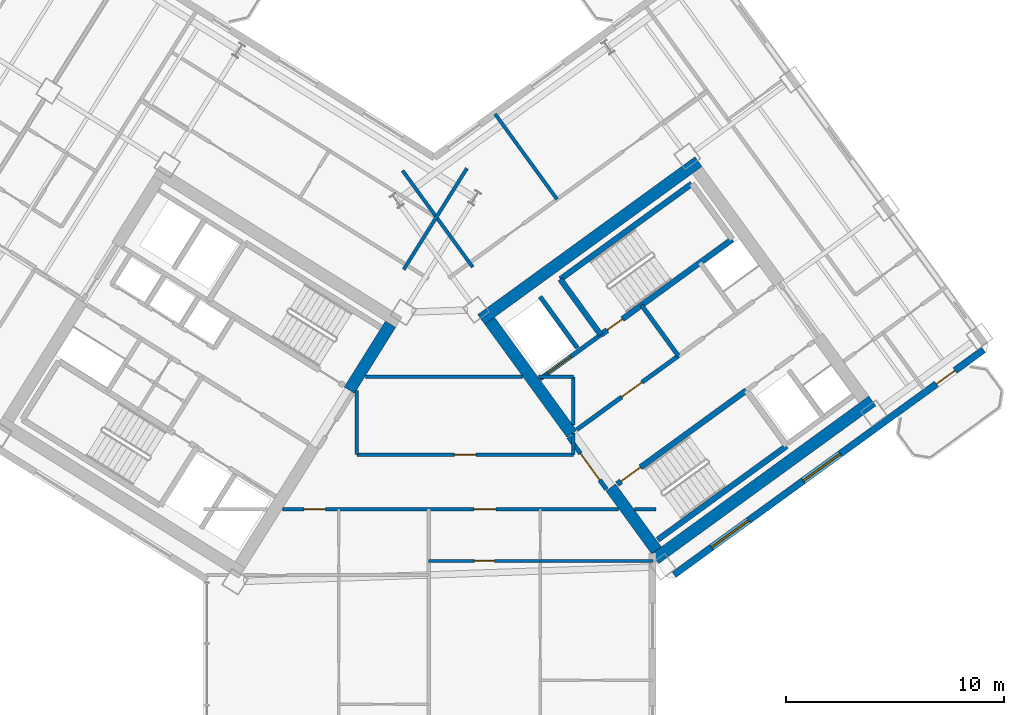
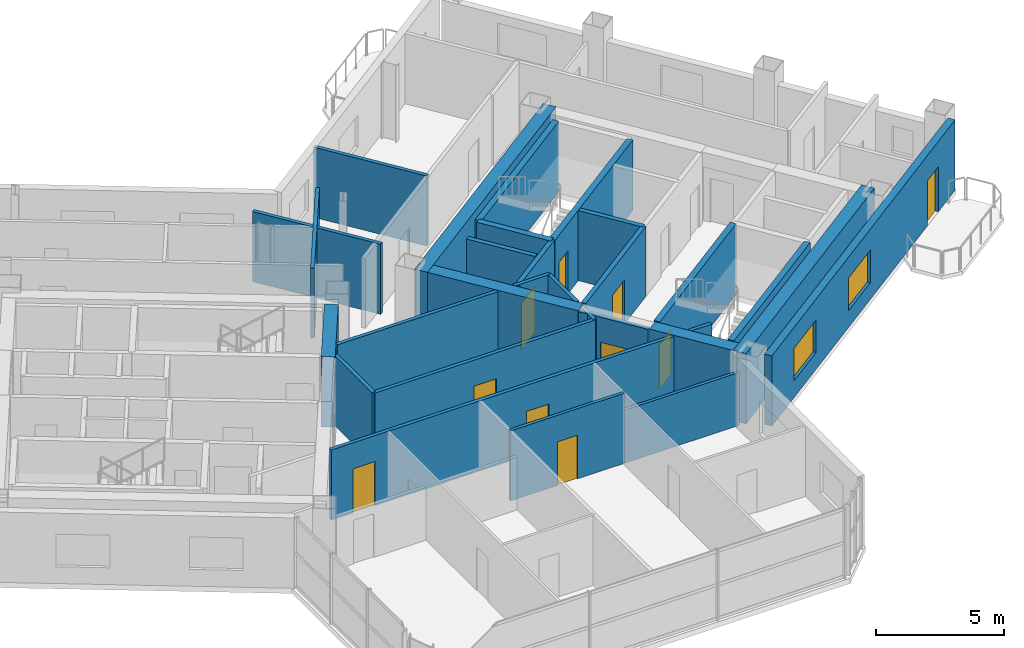
# One storey, part 14 of 20: 29 walls, 10 doors, 2 windows, 12 openings.
"""IFC4 building model written with IfcOpenShell, lengths in metres."""

from ifc_helpers import new_model, si_unit, direction, frame, frame_2d, origin, place, context, subcontext, project, spatial, rectangle, extrude, source, transform, mapped, material, layer, layer_set, type_object, element, fill, save


model = new_model("IFC4")

# Units and contexts
model_context = context("Model", 3, precision=1e-05, world=origin(), true_north=direction((0.0, 1.0)))
body_context = subcontext(model_context, "Body", "Model", "MODEL_VIEW")
ifc_project = project(units=[si_unit("LENGTHUNIT", "METRE"), si_unit("AREAUNIT", "SQUARE_METRE"), si_unit("VOLUMEUNIT", "CUBIC_METRE"), si_unit("PLANEANGLEUNIT", "RADIAN"), si_unit("MASSUNIT", "GRAM", prefix="KILO")], contexts=[model_context])

# Site, building, storey
site_placement = place(None, origin())
site = spatial("IfcSite", under=ifc_project, at=site_placement, CompositionType="ELEMENT")
building_placement = place(site_placement, origin())
building = spatial("IfcBuilding", under=site, at=building_placement, Name="Tlacorven Tower", CompositionType="ELEMENT")
storey_placement = place(building_placement, frame((0.0, 0.0, 108.89990234375)))
storey = spatial("IfcBuildingStorey", under=building, at=storey_placement, Name="L27", CompositionType="ELEMENT", Elevation=108.89990234375)

# Walls
ifc_material_1 = material(Name="Concrete C60/75", Category="concrete")
ifc_layer_1 = layer(ifc_material_1, 0.550048828125)
ifc_layer_set_1 = layer_set([ifc_layer_1], Name="Concrete C60/75")
wall_type_1 = type_object("IfcWallType", Name="WL-COR-550", PredefinedType="SHEAR", material=ifc_layer_set_1)
wall_1_placement = place(storey_placement, frame((40.194091796875, 23.92236328125, 0.0), z_axis=(0.0, 0.0, 1.0), x_axis=(-0.529888438328, -0.848067357541, 0.0)))
element("IfcWall", 1, at=wall_1_placement, inside=storey, type_object=wall_type_1, Name="L27 W core end wall E1.1", PredefinedType="SHEAR", context=body_context, shape_type="SweptSolid", body=[
    extrude(rectangle(XDim=3.574951171875, YDim=0.550048828125, at=frame_2d((1.78759765625, 0.0))), origin(), (0.0, 0.0, 1.0), 3.35009765625),
])
for number, where, z_axis, x_axis, name in (
    (2, (52.35888671875, 13.1396484375, 0.0), (0.0, 0.0, 1.0), (0.809014896919, 0.587788139183, 0.0), "L27 E core shear wall S1"),
    (3, (44.364990234375, 24.142333984375, 0.0), (0.0, 0.0, 1.0), (0.809024304885, 0.587775190107, 0.0), "L27 E core shear wall S2"),
):
    element("IfcWall", number, at=place(storey_placement, frame(where, z_axis=z_axis, x_axis=x_axis)), inside=storey, type_object=wall_type_1, Name=name, PredefinedType="SHEAR", context=body_context, shape_type="SweptSolid", body=[
        extrude(rectangle(XDim=12.340087890625, YDim=0.550048828125, at=frame_2d((6.169921875, 0.0))), origin(), (0.0, 0.0, 1.0), 3.35009765625),
    ])
wall_2_placement = place(storey_placement, frame((52.419677734375, 13.52392578125, 0.0), z_axis=(0.0, 0.0, 1.0), x_axis=(-0.587802113096, 0.809004744015, 0.0)))
element("IfcWall", 4, at=wall_2_placement, inside=storey, type_object=wall_type_1, Name="L27 E core end wall E1.1", PredefinedType="SHEAR", context=body_context, shape_type="SweptSolid", body=[
    extrude(rectangle(XDim=3.574951171875, YDim=0.550048828125, at=frame_2d((1.78759765625, 0.0))), origin(), (0.0, 0.0, 1.0), 3.35009765625),
])
wall_3_placement = place(storey_placement, frame((48.525634765625, 18.883544921875, 0.0), z_axis=(0.0, 0.0, 1.0), x_axis=(-0.587764933797, 0.809031756236, 0.0)))
element("IfcWall", 5, at=wall_3_placement, inside=storey, type_object=wall_type_1, Name="L27 E core end wall E1.2", PredefinedType="SHEAR", context=body_context, shape_type="SweptSolid", body=[
    extrude(rectangle(XDim=6.425048828125, YDim=0.550048828125, at=frame_2d((3.21240234375, 0.0))), origin(), (0.0, 0.0, 1.0), 3.35009765625),
])
ifc_material_2 = material(Name="Gypsum plasterboard acoustic partition", Category="gypsum")
ifc_layer_2 = layer(ifc_material_2, 0.159912109375)
ifc_layer_set_2 = layer_set([ifc_layer_2], Name="Gypsum plasterboard acoustic partition")
wall_type_2 = type_object("IfcWallType", Name="WL-DEM-160", PredefinedType="PARTITIONING", material=ifc_layer_set_2)
wall_4_placement = place(storey_placement, frame((43.70361328125, 31.086181640625, 0.0), z_axis=(0.0, 0.0, 1.0), x_axis=(-0.529906828443, -0.848055866774, 0.0)))
element("IfcWall", 6, at=wall_4_placement, inside=storey, type_object=wall_type_2, Name="L27 WC West Throat Wall", PredefinedType="PARTITIONING", context=body_context, shape_type="SweptSolid", body=[
    extrude(rectangle(XDim=5.479736328125, YDim=0.159912109375, at=frame_2d((2.73974609375, 0.0))), origin(), (0.0, 0.0, 1.0), 3.340087890625),
])

# Wall, openings, doors
wall_5_placement = place(storey_placement, frame((35.2373046875, 15.419921875, 0.0), z_axis=(0.0, 0.0, 1.0), x_axis=(1.0, 0.0, 0.0)))
wall_5 = element("IfcWall", 7, at=wall_5_placement, inside=storey, type_object=wall_type_2, Name="L27 Knuckle Corridor South Wall", PredefinedType="PARTITIONING", context=body_context, shape_type="SweptSolid", body=[
    extrude(rectangle(XDim=15.431640625, YDim=0.159912109375, at=frame_2d((7.7158203125, 0.0))), origin(), (0.0, 0.0, 1.0), 3.340087890625),
])
opening_1_placement = place(wall_5_placement, frame((0.968994140625, 0.0, 0.0)))
opening_1 = element("IfcOpeningElement", 8, at=opening_1_placement, cuts=wall_5, Name="Opening D11", PredefinedType="OPENING", context=body_context, shape_type="SweptSolid", body=[
    extrude(rectangle(XDim=1.0, YDim=2.10009765625, at=frame_2d((0.5, 1.050048828125))), frame((0.0, 0.08984375, 0.0), z_axis=(0.0, -1.0, 0.0), x_axis=(1.0, 0.0, 0.0)), (0.0, 0.0, 1.0), 0.179931640625),
])
opening_2_placement = place(wall_5_placement, frame((8.798583984375, 0.0, 0.0)))
opening_2 = element("IfcOpeningElement", 9, at=opening_2_placement, cuts=wall_5, Name="Opening D11", PredefinedType="OPENING", context=body_context, shape_type="SweptSolid", body=[
    extrude(rectangle(XDim=1.0, YDim=2.10009765625, at=frame_2d((0.5, 1.050048828125))), frame((0.0, 0.08984375, 0.0), z_axis=(0.0, -1.0, 0.0), x_axis=(1.0, 0.0, 0.0)), (0.0, 0.0, 1.0), 0.179931640625),
])
ifc_material_3 = material(Name="Fire-rated steel door assembly", Category="steel")
door_type_1 = type_object("IfcDoorType", Name="DR-FLT-FD60-1000", OperationType="NOTDEFINED", PredefinedType="DOOR", material=ifc_material_3)
shared_shape_1 = source(origin(), body_context, "Body", "SweptSolid", [
    extrude(rectangle(XDim=1.0, YDim=2.10009765625, at=frame_2d((0.5, 1.050048828125))), frame((0.0, 0.02490234375, 0.0), z_axis=(0.0, -1.0, 0.0), x_axis=(1.0, 0.0, 0.0)), (0.0, 0.0, 1.0), 0.050048828125),
])
door_1_placement = place(opening_1_placement, frame((1.0, 0.0, 0.0), z_axis=(0.0, 0.0, 1.0), x_axis=(-1.0, 0.0, 0.0)))
door_1 = element("IfcDoor", 10, at=door_1_placement, inside=storey, type_object=door_type_1, Name="L27 door 051", OperationType="SINGLE_SWING_LEFT", OverallHeight=2.10009765625, OverallWidth=1.0, PredefinedType="DOOR", context=body_context, shape_type="MappedRepresentation", body=[
    mapped(shared_shape_1, transform((0.0, 0.0, 0.0), scale=1.0)),
])
fill(opening_1, door_1)
door_2_placement = place(opening_2_placement, frame((1.0, 0.0, 0.0), z_axis=(0.0, 0.0, 1.0), x_axis=(-1.0, 0.0, 0.0)))
door_2 = element("IfcDoor", 11, at=door_2_placement, inside=storey, type_object=door_type_1, Name="L27 door 056", OperationType="SINGLE_SWING_RIGHT", OverallHeight=2.10009765625, OverallWidth=1.0, PredefinedType="DOOR", context=body_context, shape_type="MappedRepresentation", body=[
    mapped(shared_shape_1, transform((0.0, 0.0, 0.0), scale=1.0)),
])
fill(opening_2, door_2)

# Wall
wall_6_placement = place(storey_placement, frame((51.41552734375, 15.419921875, 0.0), z_axis=(0.0, 0.0, 1.0), x_axis=(1.0, 0.0, 0.0)))
element("IfcWall", 12, at=wall_6_placement, inside=storey, type_object=wall_type_2, Name="L27 Knuckle Corridor South Wall", PredefinedType="PARTITIONING", context=body_context, shape_type="SweptSolid", body=[
    extrude(rectangle(XDim=0.984375, YDim=0.159912109375, at=frame_2d((0.4921875, 0.0))), origin(), (0.0, 0.0, 1.0), 3.340087890625),
])

# Wall, opening, door
wall_7_placement = place(storey_placement, frame((38.64990234375, 17.929931640625, 0.0), z_axis=(0.0, 0.0, 1.0), x_axis=(1.0, 0.0, 0.0)))
wall_7 = element("IfcWall", 13, at=wall_7_placement, inside=storey, type_object=wall_type_2, Name="L27 partition 75", PredefinedType="PARTITIONING", context=body_context, shape_type="SweptSolid", body=[
    extrude(rectangle(XDim=9.9501953125, YDim=0.159912109375, at=frame_2d((4.97509765625, 0.0))), origin(), (0.0, 0.0, 1.0), 3.340087890625),
])
opening_3_placement = place(wall_7_placement, frame((4.47509765625, 0.0, 0.0)))
opening_3 = element("IfcOpeningElement", 14, at=opening_3_placement, cuts=wall_7, Name="Opening D11", PredefinedType="OPENING", context=body_context, shape_type="SweptSolid", body=[
    extrude(rectangle(XDim=1.0, YDim=2.10009765625, at=frame_2d((0.5, 1.050048828125))), frame((0.0, 0.08984375, 0.0), z_axis=(0.0, -1.0, 0.0), x_axis=(1.0, 0.0, 0.0)), (0.0, 0.0, 1.0), 0.179931640625),
])
door_3_placement = place(opening_3_placement, origin())
door_3 = element("IfcDoor", 15, at=door_3_placement, inside=storey, type_object=door_type_1, Name="L27 door 046", OperationType="SINGLE_SWING_RIGHT", OverallHeight=2.10009765625, OverallWidth=1.0, PredefinedType="DOOR", context=body_context, shape_type="MappedRepresentation", body=[
    mapped(shared_shape_1, transform((0.0, 0.0, 0.0), scale=1.0)),
])
fill(opening_3, door_3)

# Walls
wall_8_placement = place(storey_placement, frame((38.64990234375, 17.929931640625, 0.0), z_axis=(0.0, 0.0, 1.0), x_axis=(0.0, 1.0, 0.0)))
element("IfcWall", 16, at=wall_8_placement, inside=storey, type_object=wall_type_2, Name="L27 partition 76", PredefinedType="PARTITIONING", context=body_context, shape_type="SweptSolid", body=[
    extrude(rectangle(XDim=2.951416015625, YDim=0.159912109375, at=frame_2d((1.4755859375, 0.0))), origin(), (0.0, 0.0, 1.0), 3.340087890625),
])
wall_9_placement = place(storey_placement, frame((48.60009765625, 17.929931640625, 0.0), z_axis=(0.0, 0.0, 1.0), x_axis=(0.0, 1.0, 0.0)))
element("IfcWall", 17, at=wall_9_placement, inside=storey, type_object=wall_type_2, Name="L27 partition 77", PredefinedType="PARTITIONING", context=body_context, shape_type="SweptSolid", body=[
    extrude(rectangle(XDim=0.99267578125, YDim=0.159912109375, at=frame_2d((0.496337890625, 0.0))), origin(), (0.0, 0.0, 1.0), 3.340087890625),
])
wall_10_placement = place(storey_placement, frame((48.60009765625, 19.295166015625, 0.0), z_axis=(0.0, 0.0, 1.0), x_axis=(0.0, 1.0, 0.0)))
element("IfcWall", 18, at=wall_10_placement, inside=storey, type_object=wall_type_2, Name="L27 partition 77", PredefinedType="PARTITIONING", context=body_context, shape_type="SweptSolid", body=[
    extrude(rectangle(XDim=2.204833984375, YDim=0.159912109375, at=frame_2d((1.1025390625, 0.0))), origin(), (0.0, 0.0, 1.0), 3.340087890625),
])
wall_11_placement = place(storey_placement, frame((39.03662109375, 21.5, 0.0), z_axis=(0.0, 0.0, 1.0), x_axis=(1.0, 0.0, 0.0)))
element("IfcWall", 19, at=wall_11_placement, inside=storey, type_object=wall_type_2, Name="L27 partition 78", PredefinedType="PARTITIONING", context=body_context, shape_type="SweptSolid", body=[
    extrude(rectangle(XDim=7.21484375, YDim=0.159912109375, at=frame_2d((3.607421875, 0.0))), origin(), (0.0, 0.0, 1.0), 3.340087890625),
])
wall_12_placement = place(storey_placement, frame((46.998046875, 21.5, 0.0), z_axis=(0.0, 0.0, 1.0), x_axis=(1.0, 0.0, 0.0)))
element("IfcWall", 20, at=wall_12_placement, inside=storey, type_object=wall_type_2, Name="L27 partition 78", PredefinedType="PARTITIONING", context=body_context, shape_type="SweptSolid", body=[
    extrude(rectangle(XDim=1.60205078125, YDim=0.159912109375, at=frame_2d((0.801025390625, 0.0))), origin(), (0.0, 0.0, 1.0), 3.340087890625),
])
wall_13_placement = place(storey_placement, frame((43.969482421875, 26.549560546875, 0.0), z_axis=(0.0, 0.0, 1.0), x_axis=(-0.587776919386, 0.80902304852, 0.0)))
element("IfcWall", 21, at=wall_13_placement, inside=storey, type_object=wall_type_2, Name="L27 EC West Throat Wall", PredefinedType="PARTITIONING", context=body_context, shape_type="SweptSolid", body=[
    extrude(rectangle(XDim=5.47998046875, YDim=0.159912109375, at=frame_2d((2.739990234375, 0.0))), origin(), (0.0, 0.0, 1.0), 3.340087890625),
])
wall_14_placement = place(storey_placement, frame((47.849365234375, 29.6650390625, 0.0), z_axis=(0.0, 0.0, 1.0), x_axis=(-0.587785532001, 0.809016791155, 0.0)))
element("IfcWall", 22, at=wall_14_placement, inside=storey, type_object=wall_type_2, Name="L27 EC Demising Wall 1", PredefinedType="PARTITIONING", context=body_context, shape_type="SweptSolid", body=[
    extrude(rectangle(XDim=4.85009765625, YDim=0.159912109375, at=frame_2d((2.425048828125, 0.0))), origin(), (0.0, 0.0, 1.0), 3.340087890625),
])

# Wall, openings, door, windows
ifc_material_4 = material(Name="Precast concrete C45/55", Category="concrete")
ifc_layer_3 = layer(ifc_material_4, 0.320068359375)
ifc_layer_set_3 = layer_set([ifc_layer_3], Name="Precast concrete C45/55")
wall_type_3 = type_object("IfcWallType", Name="WL-EXT-320", PredefinedType="STANDARD", material=ifc_layer_set_3)
wall_15_placement = place(storey_placement, frame((67.45361328125, 22.746826171875, 0.0), z_axis=(0.0, 0.0, 1.0), x_axis=(-0.809021120468, -0.587779573171, 0.0)))
wall_15 = element("IfcWall", 23, at=wall_15_placement, inside=storey, type_object=wall_type_3, Name="L27 Masonry-Frame Recessed Facade Wall 6", PredefinedType="STANDARD", context=body_context, shape_type="SweptSolid", body=[
    extrude(rectangle(XDim=17.587646484375, YDim=0.320068359375, at=frame_2d((8.7939453125, 0.0))), origin(), (0.0, 0.0, 1.0), 3.35009765625),
])
opening_4_placement = place(wall_15_placement, frame((1.623779296875, 0.0, 0.0)))
opening_4 = element("IfcOpeningElement", 24, at=opening_4_placement, cuts=wall_15, Name="Opening D06", PredefinedType="OPENING", context=body_context, shape_type="SweptSolid", body=[
    extrude(rectangle(XDim=1.050048828125, YDim=2.14990234375, at=frame_2d((0.52490234375, 1.074951171875))), frame((0.0, 0.169921875, 0.0), z_axis=(0.0, -1.0, 0.0), x_axis=(1.0, 0.0, 0.0)), (0.0, 0.0, 1.0), 0.340087890625),
])
opening_5_placement = place(wall_15_placement, frame((8.143798828125, 0.0, 0.800048828125)))
opening_5 = element("IfcOpeningElement", 25, at=opening_5_placement, cuts=wall_15, Name="Opening WN04", PredefinedType="OPENING", context=body_context, shape_type="SweptSolid", body=[
    extrude(rectangle(XDim=2.10009765625, YDim=1.550048828125, at=frame_2d((1.050048828125, 0.77490234375))), frame((0.0, 0.169921875, 0.0), z_axis=(0.0, -1.0, 0.0), x_axis=(1.0, 0.0, 0.0)), (0.0, 0.0, 1.0), 0.340087890625),
])
opening_6_placement = place(wall_15_placement, frame((13.34375, 0.0, 0.800048828125)))
opening_6 = element("IfcOpeningElement", 26, at=opening_6_placement, cuts=wall_15, Name="Opening WN04", PredefinedType="OPENING", context=body_context, shape_type="SweptSolid", body=[
    extrude(rectangle(XDim=2.10009765625, YDim=1.550048828125, at=frame_2d((1.050048828125, 0.77490234375))), frame((0.0, 0.169921875, 0.0), z_axis=(0.0, -1.0, 0.0), x_axis=(1.0, 0.0, 0.0)), (0.0, 0.0, 1.0), 0.340087890625),
])
ifc_material_5 = material(Name="Powder-coated aluminium and timber door", Category="wood")
door_type_2 = type_object("IfcDoorType", Name="DR-EXT-BALC-1050", OperationType="NOTDEFINED", PredefinedType="DOOR", material=ifc_material_5)
shared_shape_2 = source(origin(), body_context, "Body", "SweptSolid", [
    extrude(rectangle(XDim=1.050048828125, YDim=2.14990234375, at=frame_2d((0.52490234375, 1.074951171875))), frame((0.0, 0.02490234375, 0.0), z_axis=(0.0, -1.0, 0.0), x_axis=(1.0, 0.0, 0.0)), (0.0, 0.0, 1.0), 0.050048828125),
])
door_4_placement = place(opening_4_placement, origin())
door_4 = element("IfcDoor", 27, at=door_4_placement, inside=storey, type_object=door_type_2, Name="L27 Outdoor Access Door BAL-L27-E-OUT", OperationType="SINGLE_SWING_LEFT", OverallHeight=2.14990234375, OverallWidth=1.050048828125, PredefinedType="DOOR", context=body_context, shape_type="MappedRepresentation", body=[
    mapped(shared_shape_2, transform((0.0, 0.0, 0.0), scale=1.0)),
])
fill(opening_4, door_4)
ifc_material_6 = material(Name="Dark solar low-E double glazing in anodised aluminium frame", Category="aluminium")
window_type = type_object("IfcWindowType", Name="WN-APT-2100X1750", PartitioningType="SINGLE_PANEL", PredefinedType="WINDOW", material=ifc_material_6)
shared_shape_3 = source(origin(), body_context, "Body", "SweptSolid", [
    extrude(rectangle(XDim=2.10009765625, YDim=1.550048828125, at=frame_2d((1.050048828125, 0.77490234375))), frame((0.0, 0.030029296875, 0.0), z_axis=(0.0, -1.0, 0.0), x_axis=(1.0, 0.0, 0.0)), (0.0, 0.0, 1.0), 0.06005859375),
])
window_1_placement = place(opening_5_placement, origin())
window_1 = element("IfcWindow", 28, at=window_1_placement, inside=storey, type_object=window_type, Name="L27 Recessed Masonry-Frame Window L27-06.1", OverallHeight=1.550048828125, OverallWidth=2.10009765625, PartitioningType="SINGLE_PANEL", PredefinedType="WINDOW", context=body_context, shape_type="MappedRepresentation", body=[
    mapped(shared_shape_3, transform((0.0, 0.0, 0.0), scale=1.0)),
])
fill(opening_5, window_1)
window_2_placement = place(opening_6_placement, origin())
window_2 = element("IfcWindow", 29, at=window_2_placement, inside=storey, type_object=window_type, Name="L27 Recessed Masonry-Frame Window L27-06.2", OverallHeight=1.550048828125, OverallWidth=2.10009765625, PartitioningType="SINGLE_PANEL", PredefinedType="WINDOW", context=body_context, shape_type="MappedRepresentation", body=[
    mapped(shared_shape_3, transform((0.0, 0.0, 0.0), scale=1.0)),
])
fill(opening_6, window_2)

# Wall, opening, door
ifc_material_7 = material(Name="Moisture-resistant gypsum plumbing wall", Category="gypsum")
ifc_layer_4 = layer(ifc_material_7, 0.139892578125)
ifc_layer_set_4 = layer_set([ifc_layer_4], Name="Moisture-resistant gypsum plumbing wall")
wall_type_4 = type_object("IfcWallType", Name="WL-PLM-140", PredefinedType="PLUMBINGWALL", material=ifc_layer_set_4)
wall_16_placement = place(storey_placement, frame((41.949951171875, 13.0400390625, 0.0), z_axis=(0.0, 0.0, 1.0), x_axis=(1.0, 0.0, 0.0)))
wall_16 = element("IfcWall", 30, at=wall_16_placement, inside=storey, type_object=wall_type_4, Name="L27 partition 86", PredefinedType="PLUMBINGWALL", context=body_context, shape_type="SweptSolid", body=[
    extrude(rectangle(XDim=5.1220703125, YDim=0.139892578125, at=frame_2d((2.56103515625, 0.0))), origin(), (0.0, 0.0, 1.0), 3.340087890625),
])
opening_7_placement = place(wall_16_placement, frame((2.10107421875, 0.0, 0.0)))
opening_7 = element("IfcOpeningElement", 31, at=opening_7_placement, cuts=wall_16, Name="Opening D12", PredefinedType="OPENING", context=body_context, shape_type="SweptSolid", body=[
    extrude(rectangle(XDim=0.919921875, YDim=2.080078125, at=frame_2d((0.4599609375, 1.0400390625))), frame((0.0, 0.080078125, 0.0), z_axis=(0.0, -1.0, 0.0), x_axis=(1.0, 0.0, 0.0)), (0.0, 0.0, 1.0), 0.159912109375),
])
door_type_3 = type_object("IfcDoorType", Name="DR-INT-ROOM-0920", OperationType="NOTDEFINED", PredefinedType="DOOR", material=ifc_material_5)
shared_shape_4 = source(origin(), body_context, "Body", "SweptSolid", [
    extrude(rectangle(XDim=0.919921875, YDim=2.080078125, at=frame_2d((0.4599609375, 1.0400390625))), frame((0.0, 0.02490234375, 0.0), z_axis=(0.0, -1.0, 0.0), x_axis=(1.0, 0.0, 0.0)), (0.0, 0.0, 1.0), 0.050048828125),
])
door_5_placement = place(opening_7_placement, frame((0.919921875, 0.0, 0.0), z_axis=(0.0, 0.0, 1.0), x_axis=(-1.0, 0.0, 0.0)))
door_5 = element("IfcDoor", 32, at=door_5_placement, inside=storey, type_object=door_type_3, Name="L27 door 057", OperationType="SINGLE_SWING_LEFT", OverallHeight=2.080078125, OverallWidth=0.919921875, PredefinedType="DOOR", context=body_context, shape_type="MappedRepresentation", body=[
    mapped(shared_shape_4, transform((0.0, 0.0, 0.0), scale=1.0)),
])
fill(opening_7, door_5)

# Wall
wall_17_placement = place(storey_placement, frame((47.072021484375, 13.0400390625, 0.0), z_axis=(0.0, 0.0, 1.0), x_axis=(1.0, 0.0, 0.0)))
element("IfcWall", 33, at=wall_17_placement, inside=storey, type_object=wall_type_4, Name="L27 partition 87", PredefinedType="PLUMBINGWALL", context=body_context, shape_type="SweptSolid", body=[
    extrude(rectangle(XDim=5.18798828125, YDim=0.139892578125, at=frame_2d((2.593994140625, 0.0))), origin(), (0.0, 0.0, 1.0), 2.525146484375),
])

# Wall, opening, door
ifc_material_8 = material(Name="Concrete C40/50", Category="concrete")
ifc_layer_5 = layer(ifc_material_8, 0.199951171875)
ifc_layer_set_5 = layer_set([ifc_layer_5], Name="Concrete C40/50")
wall_type_5 = type_object("IfcWallType", Name="WL-SHF-200", PredefinedType="STANDARD", material=ifc_layer_set_5)
wall_18_placement = place(storey_placement, frame((47.0654296875, 21.4072265625, 0.0), z_axis=(0.0, 0.0, 1.0), x_axis=(0.809032984992, 0.587763242466, 0.0)))
wall_18 = element("IfcWall", 34, at=wall_18_placement, inside=storey, type_object=wall_type_5, Name="L27 Core E Firefighting Lift Shaft Front Wall", PredefinedType="STANDARD", context=body_context, shape_type="SweptSolid", body=[
    extrude(rectangle(XDim=3.447998046875, YDim=0.199951171875, at=frame_2d((1.72412109375, 0.0))), origin(), (0.0, 0.0, 1.0), 3.340087890625),
])
opening_8_placement = place(wall_18_placement, frame((0.4580078125, 0.0, 0.0)))
opening_8 = element("IfcOpeningElement", 35, at=opening_8_placement, cuts=wall_18, Name="Opening LD03", PredefinedType="OPENING", context=body_context, shape_type="SweptSolid", body=[
    extrude(rectangle(XDim=1.300048828125, YDim=2.199951171875, at=frame_2d((0.64990234375, 1.10009765625))), frame((0.0, 0.10986328125, 0.0), z_axis=(0.0, -1.0, 0.0), x_axis=(1.0, 0.0, 0.0)), (0.0, 0.0, 1.0), 0.219970703125),
])
door_type_4 = type_object("IfcDoorType", Name="DR-LFT-SLID-1300", OperationType="DOUBLE_DOOR_SLIDING", PredefinedType="DOOR", material=ifc_material_3)
shared_shape_5 = source(origin(), body_context, "Body", "SweptSolid", [
    extrude(rectangle(XDim=1.300048828125, YDim=2.199951171875, at=frame_2d((0.64990234375, 1.10009765625))), frame((0.0, 0.02490234375, 0.0), z_axis=(0.0, -1.0, 0.0), x_axis=(1.0, 0.0, 0.0)), (0.0, 0.0, 1.0), 0.050048828125),
])
door_6_placement = place(opening_8_placement, origin())
door_6 = element("IfcDoor", 36, at=door_6_placement, inside=storey, type_object=door_type_4, Name="L27 Lift FFL-E1 Sliding Landing Door", OperationType="DOUBLE_DOOR_SLIDING", OverallHeight=2.199951171875, OverallWidth=1.300048828125, PredefinedType="DOOR", context=body_context, shape_type="MappedRepresentation", body=[
    mapped(shared_shape_5, transform((0.0, 0.0, 0.0), scale=1.0)),
])
fill(opening_8, door_6)

wall_19_placement = place(storey_placement, frame((48.75830078125, 19.0771484375, 0.0), z_axis=(0.0, 0.0, 1.0), x_axis=(0.809005065155, 0.587801671104, 0.0)))
wall_19 = element("IfcWall", 37, at=wall_19_placement, inside=storey, type_object=wall_type_5, Name="L27 Core E Smoke Lobby Wall", PredefinedType="STANDARD", context=body_context, shape_type="SweptSolid", body=[
    extrude(rectangle(XDim=5.767822265625, YDim=0.199951171875, at=frame_2d((2.8837890625, 0.0))), origin(), (0.0, 0.0, 1.0), 3.340087890625),
])
opening_9_placement = place(wall_19_placement, frame((2.548095703125, 0.0, 0.0)))
opening_9 = element("IfcOpeningElement", 38, at=opening_9_placement, cuts=wall_19, Name="Opening D09", PredefinedType="OPENING", context=body_context, shape_type="SweptSolid", body=[
    extrude(rectangle(XDim=1.14990234375, YDim=2.10009765625, at=frame_2d((0.574951171875, 1.050048828125))), frame((0.0, 0.10986328125, 0.0), z_axis=(0.0, -1.0, 0.0), x_axis=(1.0, 0.0, 0.0)), (0.0, 0.0, 1.0), 0.219970703125),
])
door_type_5 = type_object("IfcDoorType", Name="DR-FFL-FD60-1150", OperationType="NOTDEFINED", PredefinedType="DOOR", material=ifc_material_3)
shared_shape_6 = source(origin(), body_context, "Body", "SweptSolid", [
    extrude(rectangle(XDim=1.14990234375, YDim=2.10009765625, at=frame_2d((0.574951171875, 1.050048828125))), frame((0.0, 0.02490234375, 0.0), z_axis=(0.0, -1.0, 0.0), x_axis=(1.0, 0.0, 0.0)), (0.0, 0.0, 1.0), 0.050048828125),
])
door_7_placement = place(opening_9_placement, origin())
door_7 = element("IfcDoor", 39, at=door_7_placement, inside=storey, type_object=door_type_5, Name="L27 Firefighting Lobby E Fire Door", OperationType="SINGLE_SWING_LEFT", OverallHeight=2.10009765625, OverallWidth=1.14990234375, PredefinedType="DOOR", context=body_context, shape_type="MappedRepresentation", body=[
    mapped(shared_shape_6, transform((0.0, 0.0, 0.0), scale=1.0)),
])
fill(opening_9, door_7)

# Walls
wall_20_placement = place(storey_placement, frame((48.78564453125, 22.830078125, 0.0), z_axis=(0.0, 0.0, 1.0), x_axis=(-0.587783856777, 0.809018008275, 0.0)))
element("IfcWall", 40, at=wall_20_placement, inside=storey, type_object=wall_type_5, Name="L27 partition 36", PredefinedType="STANDARD", context=body_context, shape_type="SweptSolid", body=[
    extrude(rectangle(XDim=2.919921875, YDim=0.199951171875, at=frame_2d((1.4599609375, 0.0))), origin(), (0.0, 0.0, 1.0), 3.340087890625),
])
wall_21_placement = place(storey_placement, frame((53.424560546875, 22.467529296875, 0.0), z_axis=(0.0, 0.0, 1.0), x_axis=(-0.5877230039, 0.809062216821, 0.0)))
element("IfcWall", 41, at=wall_21_placement, inside=storey, type_object=wall_type_5, Name="L27 partition 41", PredefinedType="STANDARD", context=body_context, shape_type="SweptSolid", body=[
    extrude(rectangle(XDim=2.8798828125, YDim=0.199951171875, at=frame_2d((1.43994140625, 0.0))), origin(), (0.0, 0.0, 1.0), 3.340087890625),
])

# Wall, opening, door
wall_22_placement = place(storey_placement, frame((50.119140625, 16.3330078125, 0.0), z_axis=(0.0, 0.0, 1.0), x_axis=(-0.587749856981, 0.809042709391, 0.0)))
wall_22 = element("IfcWall", 42, at=wall_22_placement, inside=storey, type_object=wall_type_5, Name="L27 partition 79", PredefinedType="STANDARD", context=body_context, shape_type="SweptSolid", body=[
    extrude(rectangle(XDim=2.9599609375, YDim=0.199951171875, at=frame_2d((1.47998046875, 0.0))), origin(), (0.0, 0.0, 1.0), 3.340087890625),
])
opening_10_placement = place(wall_22_placement, frame((0.530029296875, 0.0, 0.0)))
opening_10 = element("IfcOpeningElement", 43, at=opening_10_placement, cuts=wall_22, Name="Opening D10", PredefinedType="OPENING", context=body_context, shape_type="SweptSolid", body=[
    extrude(rectangle(XDim=1.5, YDim=2.14990234375, at=frame_2d((0.75, 1.074951171875))), frame((0.0, 0.10986328125, 0.0), z_axis=(0.0, -1.0, 0.0), x_axis=(1.0, 0.0, 0.0)), (0.0, 0.0, 1.0), 0.219970703125),
])
door_type_6 = type_object("IfcDoorType", Name="DR-LOB-FD60-1500", OperationType="DOUBLE_DOOR_SINGLE_SWING", PredefinedType="DOOR", material=ifc_material_3)
shared_shape_7 = source(origin(), body_context, "Body", "SweptSolid", [
    extrude(rectangle(XDim=1.5, YDim=2.14990234375, at=frame_2d((0.75, 1.074951171875))), frame((0.0, 0.02490234375, 0.0), z_axis=(0.0, -1.0, 0.0), x_axis=(1.0, 0.0, 0.0)), (0.0, 0.0, 1.0), 0.050048828125),
])
door_8_placement = place(opening_10_placement, frame((1.5, 0.0, 0.0), z_axis=(0.0, 0.0, 1.0), x_axis=(-1.0, 0.0, 0.0)))
door_8 = element("IfcDoor", 44, at=door_8_placement, inside=storey, type_object=door_type_6, Name="L27 door 048", OperationType="DOUBLE_DOOR_SINGLE_SWING", OverallHeight=2.14990234375, OverallWidth=1.5, PredefinedType="DOOR", context=body_context, shape_type="MappedRepresentation", body=[
    mapped(shared_shape_7, transform((0.0, 0.0, 0.0), scale=1.0)),
])
fill(opening_10, door_8)

# Wall
ifc_material_9 = material(Name="Concrete C50/60", Category="concrete")
ifc_layer_6 = layer(ifc_material_9, 0.260009765625)
ifc_layer_set_6 = layer_set([ifc_layer_6], Name="Concrete C50/60")
wall_type_6 = type_object("IfcWallType", Name="WL-STW-260", PredefinedType="SHEAR", material=ifc_layer_set_6)
wall_23_placement = place(storey_placement, frame((48.005615234375, 25.996337890625, 0.0), z_axis=(0.0, 0.0, 1.0), x_axis=(0.80901903764, 0.587782439969, 0.0)))
element("IfcWall", 45, at=wall_23_placement, inside=storey, type_object=wall_type_6, Name="L27 Stair E1 Far Shear Wall", PredefinedType="SHEAR", context=body_context, shape_type="SweptSolid", body=[
    extrude(rectangle(XDim=7.4599609375, YDim=0.260009765625, at=frame_2d((3.72998046875, 0.0))), origin(), (0.0, 0.0, 1.0), 3.35009765625),
])

# Wall, opening, door
wall_24_placement = place(storey_placement, frame((49.863037109375, 23.439697265625, 0.0), z_axis=(0.0, 0.0, 1.0), x_axis=(0.809003474932, 0.587803859759, 0.0)))
wall_24 = element("IfcWall", 46, at=wall_24_placement, inside=storey, type_object=wall_type_6, Name="L27 Stair E1 Lobby Shear Wall", PredefinedType="SHEAR", context=body_context, shape_type="SweptSolid", body=[
    extrude(rectangle(XDim=7.4599609375, YDim=0.260009765625, at=frame_2d((3.72998046875, 0.0))), origin(), (0.0, 0.0, 1.0), 3.35009765625),
])
opening_11_placement = place(wall_24_placement, frame((0.360107421875, 0.0, 0.0)))
opening_11 = element("IfcOpeningElement", 47, at=opening_11_placement, cuts=wall_24, Name="Opening D19", PredefinedType="OPENING", context=body_context, shape_type="SweptSolid", body=[
    extrude(rectangle(XDim=0.860107421875, YDim=2.050048828125, at=frame_2d((0.43017578125, 1.02490234375))), frame((0.0, 0.14013671875, 0.0), z_axis=(0.0, -1.0, 0.0), x_axis=(1.0, 0.0, 0.0)), (0.0, 0.0, 1.0), 0.280029296875),
])
door_type_7 = type_object("IfcDoorType", Name="DR-RSR-FD60-0860", OperationType="NOTDEFINED", PredefinedType="DOOR", material=ifc_material_3)
shared_shape_8 = source(origin(), body_context, "Body", "SweptSolid", [
    extrude(rectangle(XDim=0.860107421875, YDim=2.050048828125, at=frame_2d((0.43017578125, 1.02490234375))), frame((0.0, 0.02490234375, 0.0), z_axis=(0.0, -1.0, 0.0), x_axis=(1.0, 0.0, 0.0)), (0.0, 0.0, 1.0), 0.050048828125),
])
door_9_placement = place(opening_11_placement, frame((0.860107421875, 0.0, 0.0), z_axis=(0.0, 0.0, 1.0), x_axis=(-1.0, 0.0, 0.0)))
door_9 = element("IfcDoor", 48, at=door_9_placement, inside=storey, type_object=door_type_7, Name="L27 Exit Stair E1 Fire Door", OperationType="SINGLE_SWING_LEFT", OverallHeight=2.050048828125, OverallWidth=0.860107421875, PredefinedType="DOOR", context=body_context, shape_type="MappedRepresentation", body=[
    mapped(shared_shape_8, transform((0.0, 0.0, 0.0), scale=1.0)),
])
fill(opening_11, door_9)

# Walls
wall_25_placement = place(storey_placement, frame((49.85498046875, 23.433837890625, 0.0), z_axis=(0.0, 0.0, 1.0), x_axis=(-0.58776738483, 0.809029975545, 0.0)))
element("IfcWall", 49, at=wall_25_placement, inside=storey, type_object=wall_type_6, Name="L27 Stair E1 West Shear Wall", PredefinedType="SHEAR", context=body_context, shape_type="SweptSolid", body=[
    extrude(rectangle(XDim=3.16015625, YDim=0.260009765625, at=frame_2d((1.580078125, 0.0))), origin(), (0.0, 0.0, 1.0), 3.35009765625),
])
wall_26_placement = place(storey_placement, frame((52.47216796875, 14.01318359375, 0.0), z_axis=(0.0, 0.0, 1.0), x_axis=(0.809028366311, 0.587769599847, 0.0)))
element("IfcWall", 50, at=wall_26_placement, inside=storey, type_object=wall_type_6, Name="L27 Stair E2 Far Shear Wall", PredefinedType="SHEAR", context=body_context, shape_type="SweptSolid", body=[
    extrude(rectangle(XDim=7.330078125, YDim=0.260009765625, at=frame_2d((3.6650390625, 0.0))), origin(), (0.0, 0.0, 1.0), 3.35009765625),
])

# Wall, opening, door
wall_27_placement = place(storey_placement, frame((50.61474609375, 16.569580078125, 0.0), z_axis=(0.0, 0.0, 1.0), x_axis=(0.809028366311, 0.587769599847, 0.0)))
wall_27 = element("IfcWall", 51, at=wall_27_placement, inside=storey, type_object=wall_type_6, Name="L27 Stair E2 Lobby Shear Wall", PredefinedType="SHEAR", context=body_context, shape_type="SweptSolid", body=[
    extrude(rectangle(XDim=7.330078125, YDim=0.260009765625, at=frame_2d((3.6650390625, 0.0))), origin(), (0.0, 0.0, 1.0), 3.35009765625),
])
opening_12_placement = place(wall_27_placement, frame((0.219970703125, 0.0, 0.0)))
opening_12 = element("IfcOpeningElement", 52, at=opening_12_placement, cuts=wall_27, Name="Opening D07", PredefinedType="OPENING", context=body_context, shape_type="SweptSolid", body=[
    extrude(rectangle(XDim=1.10009765625, YDim=2.10009765625, at=frame_2d((0.550048828125, 1.050048828125))), frame((0.0, 0.14013671875, 0.0), z_axis=(0.0, -1.0, 0.0), x_axis=(1.0, 0.0, 0.0)), (0.0, 0.0, 1.0), 0.280029296875),
])
door_type_8 = type_object("IfcDoorType", Name="DR-STR-FD90-1100", OperationType="NOTDEFINED", PredefinedType="DOOR", material=ifc_material_3)
shared_shape_9 = source(origin(), body_context, "Body", "SweptSolid", [
    extrude(rectangle(XDim=1.10009765625, YDim=2.10009765625, at=frame_2d((0.550048828125, 1.050048828125))), frame((0.0, 0.02490234375, 0.0), z_axis=(0.0, -1.0, 0.0), x_axis=(1.0, 0.0, 0.0)), (0.0, 0.0, 1.0), 0.050048828125),
])
door_10_placement = place(opening_12_placement, origin())
door_10 = element("IfcDoor", 53, at=door_10_placement, inside=storey, type_object=door_type_8, Name="L27 Exit Stair E2 Fire Door", OperationType="SINGLE_SWING_RIGHT", OverallHeight=2.10009765625, OverallWidth=1.10009765625, PredefinedType="DOOR", context=body_context, shape_type="MappedRepresentation", body=[
    mapped(shared_shape_9, transform((0.0, 0.0, 0.0), scale=1.0)),
])
fill(opening_12, door_10)

save(model, "model.ifc")
